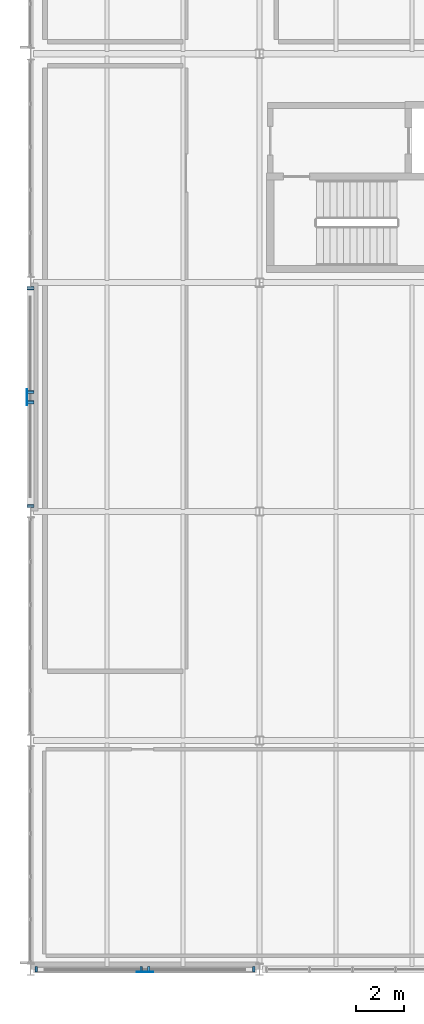
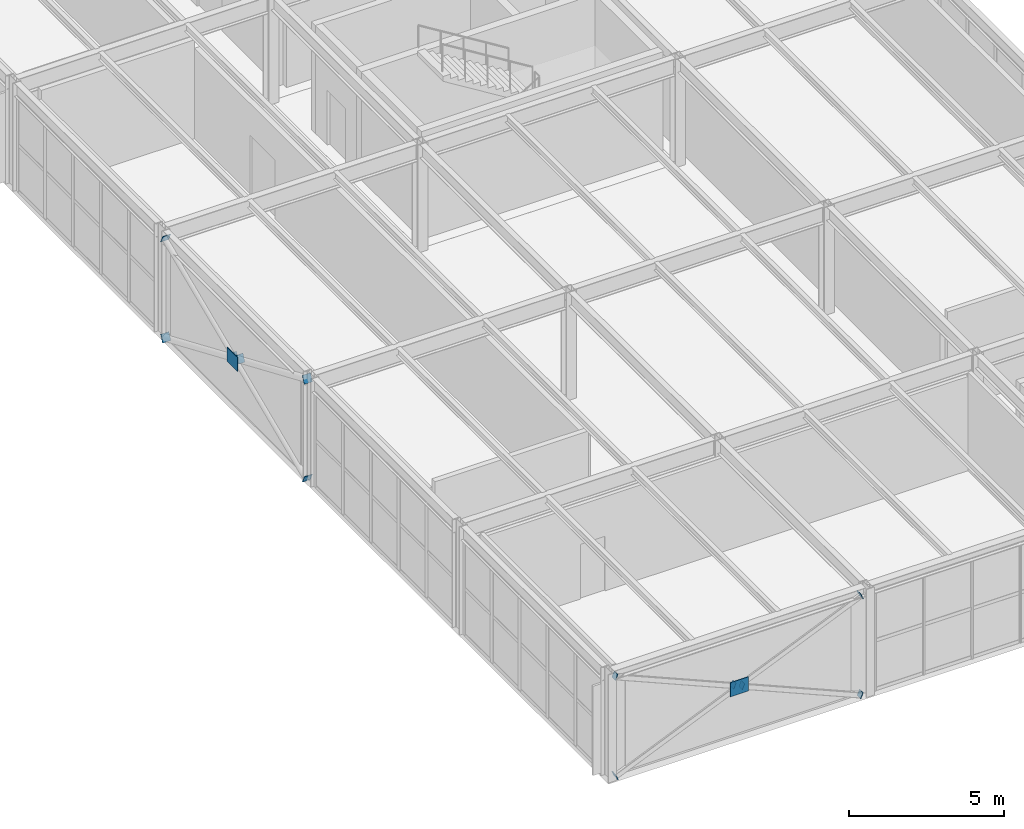
# One storey, part 143 of 170: 14 plates.
"""IFC4 building model written with IfcOpenShell, lengths in metres."""

from ifc_helpers import new_model, si_unit, direction, frame, origin, origin_2d, place, context, subcontext, project, spatial, rectangle, extrude, material, layer, layer_set, type_object, element, save


model = new_model("IFC4")

# Units and contexts
model_context = context("Model", 3, precision=1e-05, world=origin(), true_north=direction((0.0, 1.0)))
body_context = subcontext(model_context, "Body", "Model", "MODEL_VIEW")
ifc_project = project(units=[si_unit("LENGTHUNIT", "METRE"), si_unit("AREAUNIT", "SQUARE_METRE"), si_unit("VOLUMEUNIT", "CUBIC_METRE"), si_unit("PLANEANGLEUNIT", "RADIAN"), si_unit("MASSUNIT", "GRAM", prefix="KILO")], contexts=[model_context])

# Site, building, storey
site_placement = place(None, origin())
site = spatial("IfcSite", under=ifc_project, at=site_placement, CompositionType="ELEMENT")
building_placement = place(site_placement, origin())
building = spatial("IfcBuilding", under=site, at=building_placement, Name="Coralgate Yard Interchange", CompositionType="ELEMENT")
storey_placement = place(building_placement, frame((0.0, 0.0, 6.0)))
storey = spatial("IfcBuildingStorey", under=building, at=storey_placement, Name="L01", CompositionType="ELEMENT", Elevation=6.0)

# Plates
ifc_material_1 = material(Name="Structural steel S355J2", Category="steel")
ifc_layer_1 = layer(ifc_material_1, 0.01806640625)
ifc_layer_set_1 = layer_set([ifc_layer_1], Name="Structural steel S355J2")
plate_type_1 = type_object("IfcPlateType", Name="PLT-EP-18", PredefinedType="USERDEFINED", material=ifc_layer_set_1)
for number, where, z_axis, x_axis, name in (
    (1, (0.0, 19.44189453125, 0.02099609375), (0.0, -0.919092895781, -0.394040922906), (1.0, 0.0, 0.0), "Steel hollow section end cap plate CAP-BRC-L01-W-A-0"),
    (2, (0.0, 28.55810546875, 3.92919921875), (0.0, 0.919092895781, 0.394040922906), (-1.0, 0.0, 0.0), "Steel hollow section end cap plate CAP-BRC-L01-W-A-1"),
    (3, (0.0, 28.55810546875, 0.02099609375), (0.0, 0.919092895781, -0.394040922906), (-1.0, 0.0, 0.0), "Steel hollow section end cap plate CAP-BRC-L01-W-B1-0"),
    (4, (0.0, 24.220458984375, 1.88037109375), (0.0, -0.919092895781, 0.394040922906), (1.0, 0.0, 0.0), "Steel hollow section end cap plate CAP-BRC-L01-W-B1-1"),
    (5, (0.0, 23.779541015625, 2.06982421875), (0.0, 0.919092895781, -0.394040922906), (-1.0, 0.0, 0.0), "Steel hollow section end cap plate CAP-BRC-L01-W-B2-0"),
    (6, (0.0, 19.44189453125, 3.92919921875), (0.0, -0.919092895781, 0.394040922906), (1.0, 0.0, 0.0), "Steel hollow section end cap plate CAP-BRC-L01-W-B2-1"),
):
    element("IfcPlate", number, at=place(storey_placement, frame(where, z_axis=z_axis, x_axis=x_axis)), inside=storey, type_object=plate_type_1, Name=name, ObjectType="CAP PLATE", PredefinedType="USERDEFINED", context=body_context, shape_type="SweptSolid", body=[
        extrude(rectangle(XDim=0.302978515625, YDim=0.302978515625, at=origin_2d()), origin(), (0.0, 0.0, 1.0), 0.01806640625),
    ])
for number, where, z_axis, x_axis, name in (
    (7, (0.241943359375, 0.0, 0.02099609375), (-0.919092895781, 0.0, -0.394040922906), (0.0, -1.0, 0.0), "Steel hollow section end cap plate CAP-BRC-L01-S-A-0"),
    (8, (9.358154296875, 0.0, 3.92919921875), (0.919092895781, 0.0, 0.394040922906), (0.0, 1.0, 0.0), "Steel hollow section end cap plate CAP-BRC-L01-S-A-1"),
    (9, (9.358154296875, 0.0, 0.02099609375), (0.919092895781, 0.0, -0.394040922906), (0.0, 1.0, 0.0), "Steel hollow section end cap plate CAP-BRC-L01-S-B1-0"),
    (10, (4.96826171875, 0.0, 1.90283203125), (-0.919092895781, 0.0, 0.394040922906), (0.0, -1.0, 0.0), "Steel hollow section end cap plate CAP-BRC-L01-S-B1-1"),
    (11, (4.6318359375, 0.0, 2.047119140625), (0.919092895781, 0.0, -0.394040922906), (0.0, 1.0, 0.0), "Steel hollow section end cap plate CAP-BRC-L01-S-B2-0"),
    (12, (0.241943359375, 0.0, 3.92919921875), (-0.919092895781, 0.0, 0.394040922906), (0.0, -1.0, 0.0), "Steel hollow section end cap plate CAP-BRC-L01-S-B2-1"),
):
    element("IfcPlate", number, at=place(storey_placement, frame(where, z_axis=z_axis, x_axis=x_axis)), inside=storey, type_object=plate_type_1, Name=name, ObjectType="CAP PLATE", PredefinedType="USERDEFINED", context=body_context, shape_type="SweptSolid", body=[
        extrude(rectangle(XDim=0.22998046875, YDim=0.22998046875, at=origin_2d()), origin(), (0.0, 0.0, 1.0), 0.01806640625),
    ])
ifc_material_2 = material(Name="Yellow-ochre weather-coated structural steel S355J2", Category="steel")
ifc_layer_2 = layer(ifc_material_2, 0.02392578125)
ifc_layer_set_2 = layer_set([ifc_layer_2], Name="Yellow-ochre weather-coated structural steel S355J2")
plate_type_2 = type_object("IfcPlateType", Name="PLT-EP-24", PredefinedType="USERDEFINED", material=ifc_layer_set_2)
for number, where, z_axis, x_axis, name in (
    (13, (-0.1474609375, 24.0, 1.695068359375), (0.0, 0.0, 1.0), (0.0, 1.0, 0.0), "L01 X-brace crossing gusset plate W"),
    (14, (4.800048828125, -0.111083984375, 1.695068359375), (0.0, 0.0, 1.0), (1.0, 0.0, 0.0), "L01 X-brace crossing gusset plate S"),
):
    element("IfcPlate", number, at=place(storey_placement, frame(where, z_axis=z_axis, x_axis=x_axis)), inside=storey, type_object=plate_type_2, Name=name, ObjectType="CAP PLATE", PredefinedType="USERDEFINED", context=body_context, shape_type="SweptSolid", body=[
        extrude(rectangle(XDim=0.679931640625, YDim=0.02392578125, at=origin_2d()), origin(), (0.0, 0.0, 1.0), 0.56005859375),
    ])

save(model, "model.ifc")
